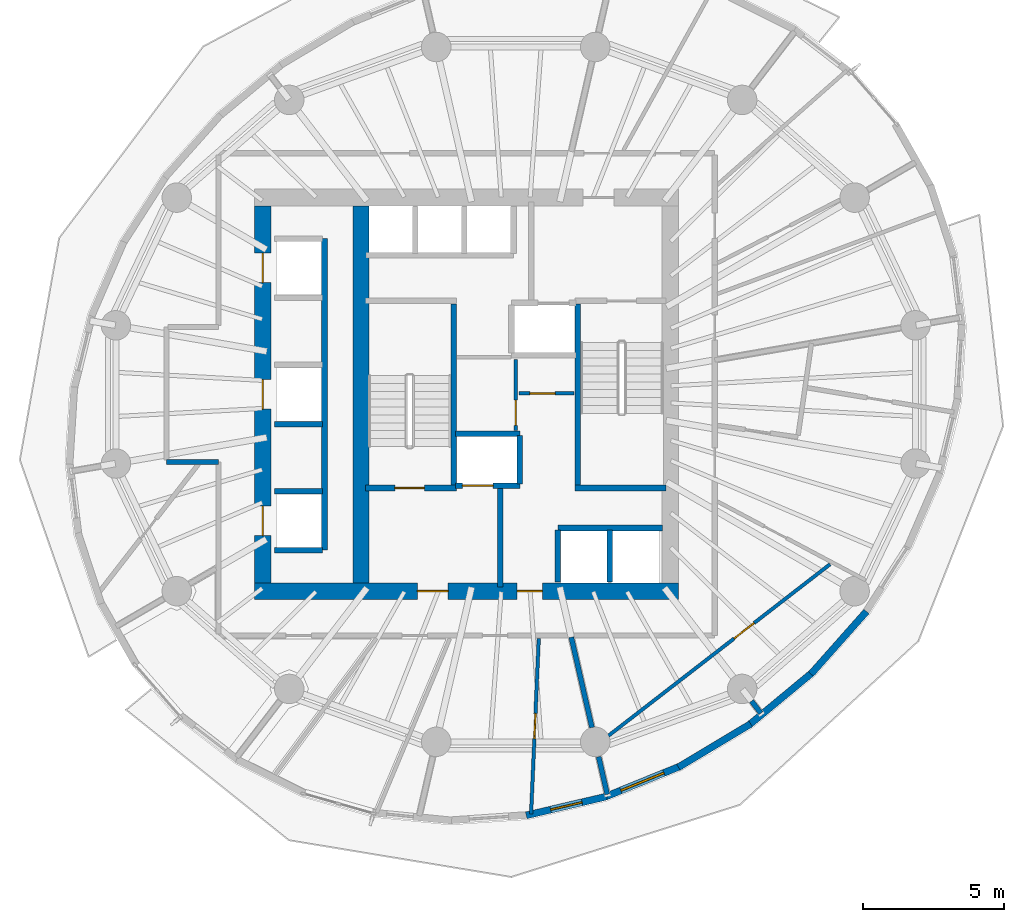
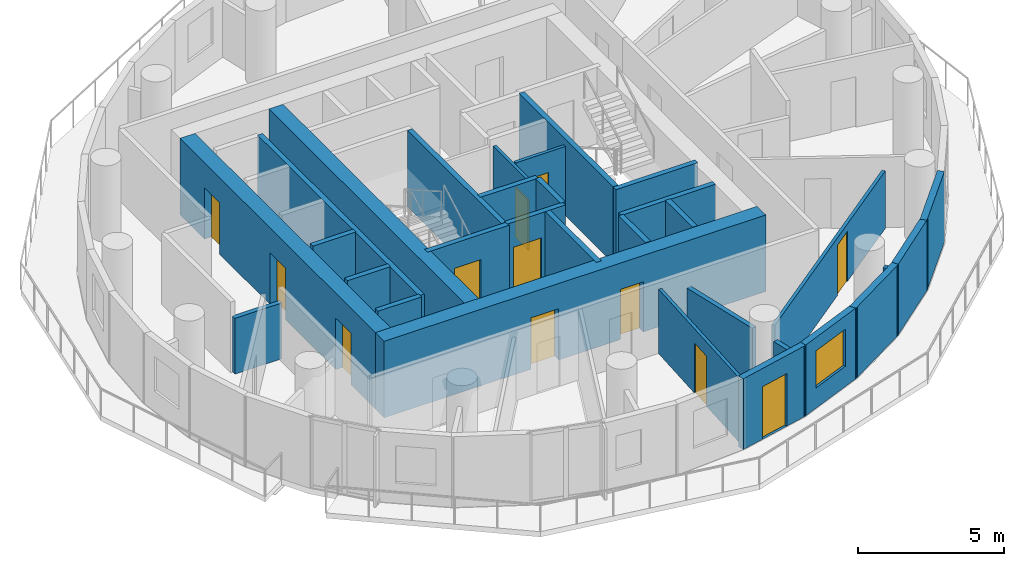
# One storey, part 5 of 12: 31 walls, 12 doors, 1 window, 13 openings.
"""IFC4 building model written with IfcOpenShell, lengths in metres."""

from ifc_helpers import new_model, si_unit, direction, frame, frame_2d, origin, place, context, subcontext, project, spatial, rectangle, extrude, material, layer, layer_set, type_object, element, fill, save


model = new_model("IFC4")

# Units and contexts
model_context = context("Model", 3, precision=1e-05, world=origin(), true_north=direction((0.0, 1.0)))
body_context = subcontext(model_context, "Body", "Model", "MODEL_VIEW")
ifc_project = project(units=[si_unit("LENGTHUNIT", "METRE"), si_unit("AREAUNIT", "SQUARE_METRE"), si_unit("VOLUMEUNIT", "CUBIC_METRE"), si_unit("PLANEANGLEUNIT", "RADIAN"), si_unit("MASSUNIT", "GRAM", prefix="KILO")], contexts=[model_context])

# Site, building, storey
site_placement = place(None, origin())
site = spatial("IfcSite", under=ifc_project, at=site_placement, CompositionType="ELEMENT")
building_placement = place(site_placement, origin())
building = spatial("IfcBuilding", under=site, at=building_placement, Name="Veldorim Arch Residences", CompositionType="ELEMENT")
storey_placement = place(building_placement, frame((0.0, 0.0, 142.56005859375)))
storey = spatial("IfcBuildingStorey", under=building, at=storey_placement, Name="L42", CompositionType="ELEMENT", Elevation=142.56005859375)

# Wall, opening, door
ifc_material_1 = material(Name="Acoustic Gypsum Board", Category="gypsum")
ifc_layer_1 = layer(ifc_material_1, 0.125, Name="Acoustic Stud Room Partition Wall 125")
ifc_layer_set_1 = layer_set([ifc_layer_1], Name="Acoustic Gypsum Board")
wall_type_1 = type_object("IfcWallType", Name="Acoustic Stud Room Partition Wall 125", PredefinedType="PARTITIONING", material=ifc_layer_set_1)
wall_1_placement = place(storey_placement, frame((32.0, 22.719970703125, 0.0), z_axis=(0.0, 0.0, 1.0), x_axis=(0.0, 1.0, 0.0)))
wall_1 = element("IfcWall", 1, at=wall_1_placement, inside=storey, type_object=wall_type_1, Name="L42 interior wall WL-CA-L42-1", PredefinedType="PARTITIONING", context=body_context, shape_type="SweptSolid", body=[
    extrude(rectangle(XDim=2.52001953125, YDim=0.125, at=frame_2d((1.260009765625, 0.0))), origin(), (0.0, 0.0, 1.0), 2.954833984375),
])
opening_1_placement = place(wall_1_placement, frame((0.179931640625, 0.0, 0.0)))
opening_1 = element("IfcOpeningElement", 2, at=opening_1_placement, cuts=wall_1, Name="Opening DR-SVC", PredefinedType="OPENING", context=body_context, shape_type="SweptSolid", body=[
    extrude(rectangle(XDim=0.89990234375, YDim=2.10009765625, at=frame_2d((0.449951171875, 1.050048828125))), frame((0.0, 0.072509765625, 0.0), z_axis=(0.0, -1.0, 0.0), x_axis=(1.0, 0.0, 0.0)), (0.0, 0.0, 1.0), 0.14501953125),
])
ifc_material_2 = material(Name="Fire-Rated Steel", Category="steel")
door_type_1 = type_object("IfcDoorType", Name="Riser, Shelter & Plant Room Rated Steel Door 900x2100", OperationType="SINGLE_SWING_LEFT", PredefinedType="DOOR", material=ifc_material_2)
door_1_placement = place(opening_1_placement, origin())
door_1 = element("IfcDoor", 3, at=door_1_placement, inside=storey, type_object=door_type_1, Name="L42 interior door DR-L42-CA2", OperationType="SINGLE_SWING_RIGHT", OverallHeight=2.10009765625, OverallWidth=0.89990234375, PredefinedType="DOOR", context=body_context, shape_type="SweptSolid", body=[
    extrude(rectangle(XDim=0.89990234375, YDim=2.10009765625, at=frame_2d((0.449951171875, 1.050048828125))), frame((0.0, 0.02490234375, 0.0), z_axis=(0.0, -1.0, 0.0), x_axis=(1.0, 0.0, 0.0)), (0.0, 0.0, 1.0), 0.050048828125),
])
fill(opening_1, door_1)

wall_2_placement = place(storey_placement, frame((32.110107421875, 24.0400390625, 0.0), z_axis=(0.0, 0.0, 1.0), x_axis=(1.0, 0.0, 0.0)))
wall_2 = element("IfcWall", 4, at=wall_2_placement, inside=storey, type_object=wall_type_1, Name="L42 interior wall WL-CA-L42-3", PredefinedType="PARTITIONING", context=body_context, shape_type="SweptSolid", body=[
    extrude(rectangle(XDim=1.969970703125, YDim=0.125, at=frame_2d((0.98486328125, 0.0))), origin(), (0.0, 0.0, 1.0), 2.954833984375),
])
opening_2_placement = place(wall_2_placement, frame((0.389892578125, 0.0, 0.0)))
opening_2 = element("IfcOpeningElement", 5, at=opening_2_placement, cuts=wall_2, Name="Opening DR-INT", PredefinedType="OPENING", context=body_context, shape_type="SweptSolid", body=[
    extrude(rectangle(XDim=0.89990234375, YDim=2.10009765625, at=frame_2d((0.449951171875, 1.050048828125))), frame((0.0, 0.072509765625, 0.0), z_axis=(0.0, -1.0, 0.0), x_axis=(1.0, 0.0, 0.0)), (0.0, 0.0, 1.0), 0.14501953125),
])
ifc_material_3 = material(Name="Engineered Timber", Category="wood")
door_type_2 = type_object("IfcDoorType", Name="Apartment Internal Room Timber Door 900x2100", OperationType="SINGLE_SWING_LEFT", PredefinedType="DOOR", material=ifc_material_3)
door_2_placement = place(opening_2_placement, origin())
door_2 = element("IfcDoor", 6, at=door_2_placement, inside=storey, type_object=door_type_2, Name="L42 interior door DR-L42-CA1", OperationType="SINGLE_SWING_LEFT", OverallHeight=2.10009765625, OverallWidth=0.89990234375, PredefinedType="DOOR", context=body_context, shape_type="SweptSolid", body=[
    extrude(rectangle(XDim=0.89990234375, YDim=2.10009765625, at=frame_2d((0.449951171875, 1.050048828125))), frame((0.0, 0.02490234375, 0.0), z_axis=(0.0, -1.0, 0.0), x_axis=(1.0, 0.0, 0.0)), (0.0, 0.0, 1.0), 0.050048828125),
])
fill(opening_2, door_2)

wall_3_placement = place(storey_placement, frame((32.82080078125, 15.320068359375, 0.0), z_axis=(0.0, 0.0, 1.0), x_axis=(-0.043813760095, -0.999039716141, 0.0)))
wall_3 = element("IfcWall", 7, at=wall_3_placement, inside=storey, type_object=wall_type_1, Name="L42 interior wall WL-RES-L42-011", PredefinedType="PARTITIONING", context=body_context, shape_type="SweptSolid", body=[
    extrude(rectangle(XDim=6.24658203125, YDim=0.125, at=frame_2d((3.123291015625, 0.0))), origin(), (0.0, 0.0, 1.0), 2.69189453125),
])
opening_3_placement = place(wall_3_placement, frame((2.67333984375, 0.0, 0.0)))
opening_3 = element("IfcOpeningElement", 8, at=opening_3_placement, cuts=wall_3, Name="Opening DR-INT", PredefinedType="OPENING", context=body_context, shape_type="SweptSolid", body=[
    extrude(rectangle(XDim=0.89990234375, YDim=2.10009765625, at=frame_2d((0.449951171875, 1.050048828125))), frame((0.0, 0.072509765625, 0.0), z_axis=(0.0, -1.0, 0.0), x_axis=(1.0, 0.0, 0.0)), (0.0, 0.0, 1.0), 0.14501953125),
])
door_3_placement = place(opening_3_placement, origin())
door_3 = element("IfcDoor", 9, at=door_3_placement, inside=storey, type_object=door_type_2, Name="L42 interior door DR-RES-L42-004", OperationType="SINGLE_SWING_RIGHT", OverallHeight=2.10009765625, OverallWidth=0.89990234375, PredefinedType="DOOR", context=body_context, shape_type="SweptSolid", body=[
    extrude(rectangle(XDim=0.89990234375, YDim=2.10009765625, at=frame_2d((0.449951171875, 1.050048828125))), frame((0.0, 0.02490234375, 0.0), z_axis=(0.0, -1.0, 0.0), x_axis=(1.0, 0.0, 0.0)), (0.0, 0.0, 1.0), 0.050048828125),
])
fill(opening_3, door_3)

wall_4_placement = place(storey_placement, frame((43.18408203125, 17.959716796875, 0.0), z_axis=(0.0, 0.0, 1.0), x_axis=(-0.790862802872, -0.611993486104, 0.0)))
wall_4 = element("IfcWall", 10, at=wall_4_placement, inside=storey, type_object=wall_type_1, Name="L42 interior wall WL-RES-L42-020", PredefinedType="PARTITIONING", context=body_context, shape_type="SweptSolid", body=[
    extrude(rectangle(XDim=9.974853515625, YDim=0.125, at=frame_2d((4.9873046875, 0.0))), origin(), (0.0, 0.0, 1.0), 2.411376953125),
])
opening_4_placement = place(wall_4_placement, frame((3.417236328125, 0.0, 0.0)))
opening_4 = element("IfcOpeningElement", 11, at=opening_4_placement, cuts=wall_4, Name="Opening DR-INT", PredefinedType="OPENING", context=body_context, shape_type="SweptSolid", body=[
    extrude(rectangle(XDim=0.89990234375, YDim=2.10009765625, at=frame_2d((0.449951171875, 1.050048828125))), frame((0.0, 0.072509765625, 0.0), z_axis=(0.0, -1.0, 0.0), x_axis=(1.0, 0.0, 0.0)), (0.0, 0.0, 1.0), 0.14501953125),
])
door_4_placement = place(opening_4_placement, origin())
door_4 = element("IfcDoor", 12, at=door_4_placement, inside=storey, type_object=door_type_2, Name="L42 interior door DR-RES-L42-008", OperationType="SINGLE_SWING_RIGHT", OverallHeight=2.10009765625, OverallWidth=0.89990234375, PredefinedType="DOOR", context=body_context, shape_type="SweptSolid", body=[
    extrude(rectangle(XDim=0.89990234375, YDim=2.10009765625, at=frame_2d((0.449951171875, 1.050048828125))), frame((0.0, 0.02490234375, 0.0), z_axis=(0.0, -1.0, 0.0), x_axis=(1.0, 0.0, 0.0)), (0.0, 0.0, 1.0), 0.050048828125),
])
fill(opening_4, door_4)

# Walls
ifc_material_4 = material(Name="Lightweight Masonry Block & Gypsum", Category="masonry")
ifc_layer_2 = layer(ifc_material_4, 0.179931640625, Name="Compartment & Corridor Fire-Rated Party Wall 180")
ifc_layer_set_2 = layer_set([ifc_layer_2], Name="Lightweight Masonry Block & Gypsum")
wall_type_2 = type_object("IfcWallType", Name="Compartment & Corridor Fire-Rated Party Wall 180", PredefinedType="PARTITIONING", material=ifc_layer_set_2)
wall_5_placement = place(storey_placement, frame((34.950439453125, 11.11083984375, 0.0), z_axis=(0.0, 0.0, 1.0), x_axis=(0.223027623572, -0.974812125039, 0.0)))
element("IfcWall", 13, at=wall_5_placement, inside=storey, type_object=wall_type_2, Name="L42 interior wall WL-PIER-L42-13", PredefinedType="PARTITIONING", context=body_context, shape_type="SweptSolid", body=[
    extrude(rectangle(XDim=1.372802734375, YDim=0.179931640625, at=frame_2d((0.6865234375, 0.0))), origin(), (0.0, 0.0, 1.0), 2.335693359375),
])
wall_6_placement = place(storey_placement, frame((40.387939453125, 13.091552734375, 0.0), z_axis=(0.0, 0.0, 1.0), x_axis=(0.6096676216, -0.792657171275, 0.0)))
element("IfcWall", 14, at=wall_6_placement, inside=storey, type_object=wall_type_2, Name="L42 interior wall WL-PIER-L42-14", PredefinedType="PARTITIONING", context=body_context, shape_type="SweptSolid", body=[
    extrude(rectangle(XDim=0.547119140625, YDim=0.179931640625, at=frame_2d((0.2734375, 0.0))), origin(), (0.0, 0.0, 1.0), 2.335693359375),
])
wall_7_placement = place(storey_placement, frame((21.419921875, 21.60009765625, 0.0), z_axis=(0.0, 0.0, 1.0), x_axis=(-1.0, 0.0, 0.0)))
element("IfcWall", 15, at=wall_7_placement, inside=storey, type_object=wall_type_2, Name="L42 interior wall WL-RES-L42-006", PredefinedType="PARTITIONING", context=body_context, shape_type="SweptSolid", body=[
    extrude(rectangle(XDim=1.849853515625, YDim=0.179931640625, at=frame_2d((0.9248046875, 0.0))), origin(), (0.0, 0.0, 1.0), 2.335693359375),
])
wall_8_placement = place(storey_placement, frame((33.977294921875, 15.361572265625, 0.0), z_axis=(0.0, 0.0, 1.0), x_axis=(0.22319287001, -0.974774303506, 0.0)))
element("IfcWall", 16, at=wall_8_placement, inside=storey, type_object=wall_type_2, Name="L42 interior wall WL-RES-L42-014", PredefinedType="PARTITIONING", context=body_context, shape_type="SweptSolid", body=[
    extrude(rectangle(XDim=3.2958984375, YDim=0.179931640625, at=frame_2d((1.64794921875, 0.0))), origin(), (0.0, 0.0, 1.0), 2.335693359375),
])
ifc_material_5 = material(Name="Concrete C50/60", Category="concrete")
ifc_layer_3 = layer(ifc_material_5, 0.199951171875, Name="Core Stair & Lift Shaft Enclosure Wall 200")
ifc_layer_set_3 = layer_set([ifc_layer_3], Name="Concrete C50/60")
wall_type_3 = type_object("IfcWallType", Name="Core Stair & Lift Shaft Enclosure Wall 200", PredefinedType="SHEAR", material=ifc_layer_set_3)
wall_9_placement = place(storey_placement, frame((29.7900390625, 20.780029296875, 0.0), z_axis=(0.0, 0.0, 1.0), x_axis=(0.0, 1.0, 0.0)))
element("IfcWall", 17, at=wall_9_placement, inside=storey, type_object=wall_type_3, Name="L42 shaft wall WL-SHF-L42-ST1-E", PredefinedType="SHEAR", context=body_context, shape_type="SweptSolid", body=[
    extrude(rectangle(XDim=6.43994140625, YDim=0.199951171875, at=frame_2d((3.219970703125, 0.0))), origin(), (0.0, 0.0, 1.0), 3.199951171875),
])

# Wall, opening, door
wall_10_placement = place(storey_placement, frame((26.64990234375, 20.669921875, 0.0), z_axis=(0.0, 0.0, 1.0), x_axis=(1.0, 0.0, 0.0)))
wall_10 = element("IfcWall", 18, at=wall_10_placement, inside=storey, type_object=wall_type_3, Name="L42 shaft wall WL-SHF-L42-ST1-S", PredefinedType="SHEAR", context=body_context, shape_type="SweptSolid", body=[
    extrude(rectangle(XDim=3.239990234375, YDim=0.199951171875, at=frame_2d((1.6201171875, 0.0))), origin(), (0.0, 0.0, 1.0), 3.199951171875),
])
opening_5_placement = place(wall_10_placement, frame((1.054931640625, 0.0, 0.0)))
opening_5 = element("IfcOpeningElement", 19, at=opening_5_placement, cuts=wall_10, Name="Opening DR-ST", PredefinedType="OPENING", context=body_context, shape_type="SweptSolid", body=[
    extrude(rectangle(XDim=1.050048828125, YDim=2.14990234375, at=frame_2d((0.52490234375, 1.074951171875))), frame((0.0, 0.10986328125, 0.0), z_axis=(0.0, -1.0, 0.0), x_axis=(1.0, 0.0, 0.0)), (0.0, 0.0, 1.0), 0.219970703125),
])
ifc_material_6 = material(Name="Fire-Rated Steel", Category="steel")
door_type_3 = type_object("IfcDoorType", Name="Exit Staircase Self-Closing Fire Door 1050x2150", OperationType="SINGLE_SWING_LEFT", PredefinedType="DOOR", material=ifc_material_6)
door_5_placement = place(opening_5_placement, origin())
door_5 = element("IfcDoor", 20, at=door_5_placement, inside=storey, type_object=door_type_3, Name="L42 interior door DR-L42-ST1", OperationType="SINGLE_SWING_LEFT", OverallHeight=2.14990234375, OverallWidth=1.050048828125, PredefinedType="DOOR", context=body_context, shape_type="SweptSolid", body=[
    extrude(rectangle(XDim=1.050048828125, YDim=2.14990234375, at=frame_2d((0.52490234375, 1.074951171875))), frame((0.0, 0.02490234375, 0.0), z_axis=(0.0, -1.0, 0.0), x_axis=(1.0, 0.0, 0.0)), (0.0, 0.0, 1.0), 0.050048828125),
])
fill(opening_5, door_5)

# Walls
wall_11_placement = place(storey_placement, frame((34.2099609375, 20.780029296875, 0.0), z_axis=(0.0, 0.0, 1.0), x_axis=(0.0, 1.0, 0.0)))
element("IfcWall", 21, at=wall_11_placement, inside=storey, type_object=wall_type_3, Name="L42 shaft wall WL-SHF-L42-ST2-W", PredefinedType="SHEAR", context=body_context, shape_type="SweptSolid", body=[
    extrude(rectangle(XDim=6.43994140625, YDim=0.199951171875, at=frame_2d((3.219970703125, 0.0))), origin(), (0.0, 0.0, 1.0), 3.199951171875),
])
wall_12_placement = place(storey_placement, frame((34.110107421875, 20.669921875, 0.0), z_axis=(0.0, 0.0, 1.0), x_axis=(1.0, 0.0, 0.0)))
element("IfcWall", 22, at=wall_12_placement, inside=storey, type_object=wall_type_3, Name="L42 shaft wall WL-SHF-L42-ST2-S", PredefinedType="SHEAR", context=body_context, shape_type="SweptSolid", body=[
    extrude(rectangle(XDim=3.239990234375, YDim=0.199951171875, at=frame_2d((1.6201171875, 0.0))), origin(), (0.0, 0.0, 1.0), 3.199951171875),
])
wall_13_placement = place(storey_placement, frame((31.449951171875, 17.14990234375, 0.0), z_axis=(0.0, 0.0, 1.0), x_axis=(0.0, 1.0, 0.0)))
element("IfcWall", 23, at=wall_13_placement, inside=storey, type_object=wall_type_3, Name="L42 shaft wall WL-FFL1-L42-E", PredefinedType="SHEAR", context=body_context, shape_type="SweptSolid", body=[
    extrude(rectangle(XDim=3.5, YDim=0.199951171875, at=frame_2d((1.75, 0.0))), origin(), (0.0, 0.0, 1.0), 3.199951171875),
])

# Wall, opening, door
wall_14_placement = place(storey_placement, frame((29.85009765625, 20.75, 0.0), z_axis=(0.0, 0.0, 1.0), x_axis=(1.0, 0.0, 0.0)))
wall_14 = element("IfcWall", 24, at=wall_14_placement, inside=storey, type_object=wall_type_3, Name="L42 shaft wall WL-FL01-L42-S", PredefinedType="SHEAR", context=body_context, shape_type="SweptSolid", body=[
    extrude(rectangle(XDim=2.2998046875, YDim=0.199951171875, at=frame_2d((1.14990234375, 0.0))), origin(), (0.0, 0.0, 1.0), 3.199951171875),
])
opening_6_placement = place(wall_14_placement, frame((0.25, 0.0, 0.0)))
opening_6 = element("IfcOpeningElement", 25, at=opening_6_placement, cuts=wall_14, Name="Opening LD-FF", PredefinedType="OPENING", context=body_context, shape_type="SweptSolid", body=[
    extrude(rectangle(XDim=1.10009765625, YDim=2.14990234375, at=frame_2d((0.550048828125, 1.074951171875))), frame((0.0, 0.10986328125, 0.0), z_axis=(0.0, -1.0, 0.0), x_axis=(1.0, 0.0, 0.0)), (0.0, 0.0, 1.0), 0.219970703125),
])
ifc_material_7 = material(Name="Stainless Steel", Category="steel")
door_type_4 = type_object("IfcDoorType", Name="Firefighting Lift Bi-Parting Sliding Landing Door 1100x2150", OperationType="DOUBLE_DOOR_SLIDING", PredefinedType="DOOR", material=ifc_material_7)
door_6_placement = place(opening_6_placement, origin())
door_6 = element("IfcDoor", 26, at=door_6_placement, inside=storey, type_object=door_type_4, Name="L42 lift landing door LD-L42-FL01", OperationType="DOUBLE_DOOR_SLIDING", OverallHeight=2.14990234375, OverallWidth=1.10009765625, PredefinedType="DOOR", context=body_context, shape_type="SweptSolid", body=[
    extrude(rectangle(XDim=1.10009765625, YDim=2.14990234375, at=frame_2d((0.550048828125, 1.074951171875))), frame((0.0, 0.02490234375, 0.0), z_axis=(0.0, -1.0, 0.0), x_axis=(1.0, 0.0, 0.0)), (0.0, 0.0, 1.0), 0.050048828125),
])
fill(opening_6, door_6)

# Walls
wall_15_placement = place(storey_placement, frame((29.85009765625, 22.60009765625, 0.0), z_axis=(0.0, 0.0, 1.0), x_axis=(1.0, 0.0, 0.0)))
element("IfcWall", 27, at=wall_15_placement, inside=storey, type_object=wall_type_3, Name="L42 shaft wall WL-FL01-L42-N", PredefinedType="SHEAR", context=body_context, shape_type="SweptSolid", body=[
    extrude(rectangle(XDim=2.2998046875, YDim=0.199951171875, at=frame_2d((1.14990234375, 0.0))), origin(), (0.0, 0.0, 1.0), 3.199951171875),
])
wall_16_placement = place(storey_placement, frame((32.14990234375, 20.820068359375, 0.0), z_axis=(0.0, 0.0, 1.0), x_axis=(0.0, 1.0, 0.0)))
element("IfcWall", 28, at=wall_16_placement, inside=storey, type_object=wall_type_3, Name="L42 shaft wall WL-FL01-L42-E", PredefinedType="SHEAR", context=body_context, shape_type="SweptSolid", body=[
    extrude(rectangle(XDim=1.7099609375, YDim=0.199951171875, at=frame_2d((0.85498046875, 0.0))), origin(), (0.0, 0.0, 1.0), 3.199951171875),
])
wall_17_placement = place(storey_placement, frame((25.199951171875, 18.4599609375, 0.0), z_axis=(0.0, 0.0, 1.0), x_axis=(0.0, 1.0, 0.0)))
element("IfcWall", 29, at=wall_17_placement, inside=storey, type_object=wall_type_3, Name="L42 shaft wall WL-B2-L42-E", PredefinedType="SHEAR", context=body_context, shape_type="SweptSolid", body=[
    extrude(rectangle(XDim=11.080078125, YDim=0.199951171875, at=frame_2d((5.5400390625, 0.0))), origin(), (0.0, 0.0, 1.0), 3.199951171875),
])
for number, where, z_axis, x_axis, name in (
    (30, (23.419921875, 18.4599609375, 0.0), (0.0, 0.0, 1.0), (1.0, 0.0, 0.0), "L42 shaft wall WL-B2-L42-S"),
    (31, (23.419921875, 20.56005859375, 0.0), (0.0, 0.0, 1.0), (1.0, 0.0, 0.0), "L42 shaft wall WL-B2-L42-D1A"),
    (32, (23.419921875, 22.93994140625, 0.0), (0.0, 0.0, 1.0), (1.0, 0.0, 0.0), "L42 shaft wall WL-B2-L42-D1B"),
):
    element("IfcWall", number, at=place(storey_placement, frame(where, z_axis=z_axis, x_axis=x_axis)), inside=storey, type_object=wall_type_3, Name=name, PredefinedType="SHEAR", context=body_context, shape_type="SweptSolid", body=[
        extrude(rectangle(XDim=1.7099609375, YDim=0.199951171875, at=frame_2d((0.85498046875, 0.0))), origin(), (0.0, 0.0, 1.0), 3.199951171875),
    ])
wall_18_placement = place(storey_placement, frame((33.5, 19.25, 0.0), z_axis=(0.0, 0.0, 1.0), x_axis=(1.0, 0.0, 0.0)))
element("IfcWall", 33, at=wall_18_placement, inside=storey, type_object=wall_type_3, Name="L42 shaft wall WL-OL-L42-N", PredefinedType="SHEAR", context=body_context, shape_type="SweptSolid", body=[
    extrude(rectangle(XDim=3.719970703125, YDim=0.199951171875, at=frame_2d((1.85986328125, 0.0))), origin(), (0.0, 0.0, 1.0), 3.199951171875),
])
for number, where, z_axis, x_axis, name in (
    (34, (33.5, 17.320068359375, 0.0), (0.0, 0.0, 1.0), (0.0, 1.0, 0.0), "L42 shaft wall WL-OL-L42-W"),
    (35, (35.35009765625, 17.320068359375, 0.0), (0.0, 0.0, 1.0), (0.0, 1.0, 0.0), "L42 shaft wall WL-OL-L42-D1"),
):
    element("IfcWall", number, at=place(storey_placement, frame(where, z_axis=z_axis, x_axis=x_axis)), inside=storey, type_object=wall_type_3, Name=name, PredefinedType="SHEAR", context=body_context, shape_type="SweptSolid", body=[
        extrude(rectangle(XDim=1.85986328125, YDim=0.199951171875, at=frame_2d((0.929931640625, 0.0))), origin(), (0.0, 0.0, 1.0), 3.199951171875),
    ])

# Wall, openings, doors
ifc_material_8 = material(Name="Concrete C50/60", Category="concrete")
ifc_layer_4 = layer(ifc_material_8, 0.60009765625, Name="Mid-Upper Central Core Shear Wall 600")
ifc_layer_set_4 = layer_set([ifc_layer_4], Name="Concrete C50/60")
wall_type_4 = type_object("IfcWallType", Name="Mid-Upper Central Core Shear Wall 600", PredefinedType="SHEAR", material=ifc_layer_set_4)
wall_19_placement = place(storey_placement, frame((22.699951171875, 17.0, 0.0), z_axis=(0.0, 0.0, 1.0), x_axis=(1.0, 0.0, 0.0)))
wall_19 = element("IfcWall", 36, at=wall_19_placement, inside=storey, type_object=wall_type_4, Name="L42 central core south shear wall", PredefinedType="SHEAR", context=body_context, shape_type="SweptSolid", body=[
    extrude(rectangle(XDim=15.10009765625, YDim=0.60009765625, at=frame_2d((7.550048828125, 0.0))), origin(), (0.0, 0.0, 1.0), 3.199951171875),
])
opening_7_placement = place(wall_19_placement, frame((5.800048828125, 0.0, 0.0)))
opening_7 = element("IfcOpeningElement", 37, at=opening_7_placement, cuts=wall_19, Name="Opening DR-FFL", PredefinedType="OPENING", context=body_context, shape_type="SweptSolid", body=[
    extrude(rectangle(XDim=1.10009765625, YDim=2.14990234375, at=frame_2d((0.550048828125, 1.074951171875))), frame((0.0, 0.31005859375, 0.0), z_axis=(0.0, -1.0, 0.0), x_axis=(1.0, 0.0, 0.0)), (0.0, 0.0, 1.0), 0.6201171875),
])
opening_8_placement = place(wall_19_placement, frame((9.35009765625, 0.0, 0.0)))
opening_8 = element("IfcOpeningElement", 38, at=opening_8_placement, cuts=wall_19, Name="Opening DR-SVC", PredefinedType="OPENING", context=body_context, shape_type="SweptSolid", body=[
    extrude(rectangle(XDim=0.89990234375, YDim=2.10009765625, at=frame_2d((0.449951171875, 1.050048828125))), frame((0.0, 0.31005859375, 0.0), z_axis=(0.0, -1.0, 0.0), x_axis=(1.0, 0.0, 0.0)), (0.0, 0.0, 1.0), 0.6201171875),
])
ifc_material_9 = material(Name="Fire-Rated Steel & Vision Glass", Category="steel")
door_type_5 = type_object("IfcDoorType", Name="Firefighting Lobby Smoke-Stop Fire Door 1100x2150", OperationType="SINGLE_SWING_LEFT", PredefinedType="DOOR", material=ifc_material_9)
door_7_placement = place(opening_7_placement, origin())
door_7 = element("IfcDoor", 39, at=door_7_placement, inside=storey, type_object=door_type_5, Name="L42 interior door DR-L42-FFL1", OperationType="SINGLE_SWING_RIGHT", OverallHeight=2.14990234375, OverallWidth=1.10009765625, PredefinedType="DOOR", context=body_context, shape_type="SweptSolid", body=[
    extrude(rectangle(XDim=1.10009765625, YDim=2.14990234375, at=frame_2d((0.550048828125, 1.074951171875))), frame((0.0, 0.02490234375, 0.0), z_axis=(0.0, -1.0, 0.0), x_axis=(1.0, 0.0, 0.0)), (0.0, 0.0, 1.0), 0.050048828125),
])
fill(opening_7, door_7)
door_8_placement = place(opening_8_placement, origin())
door_8 = element("IfcDoor", 40, at=door_8_placement, inside=storey, type_object=door_type_1, Name="L42 interior door DR-L42-COR-ANC", OperationType="SINGLE_SWING_LEFT", OverallHeight=2.10009765625, OverallWidth=0.89990234375, PredefinedType="DOOR", context=body_context, shape_type="SweptSolid", body=[
    extrude(rectangle(XDim=0.89990234375, YDim=2.10009765625, at=frame_2d((0.449951171875, 1.050048828125))), frame((0.0, 0.02490234375, 0.0), z_axis=(0.0, -1.0, 0.0), x_axis=(1.0, 0.0, 0.0)), (0.0, 0.0, 1.0), 0.050048828125),
])
fill(opening_8, door_8)

wall_20_placement = place(storey_placement, frame((23.0, 17.300048828125, 0.0), z_axis=(0.0, 0.0, 1.0), x_axis=(0.0, 1.0, 0.0)))
wall_20 = element("IfcWall", 41, at=wall_20_placement, inside=storey, type_object=wall_type_4, Name="L42 central core west shear wall", PredefinedType="SHEAR", context=body_context, shape_type="SweptSolid", body=[
    extrude(rectangle(XDim=13.39990234375, YDim=0.60009765625, at=frame_2d((6.699951171875, 0.0))), origin(), (0.0, 0.0, 1.0), 3.199951171875),
])
opening_9_placement = place(wall_20_placement, frame((1.675048828125, 0.0, 0.0)))
opening_9 = element("IfcOpeningElement", 42, at=opening_9_placement, cuts=wall_20, Name="Opening LD-PS", PredefinedType="OPENING", context=body_context, shape_type="SweptSolid", body=[
    extrude(rectangle(XDim=1.050048828125, YDim=2.14990234375, at=frame_2d((0.52490234375, 1.074951171875))), frame((0.0, 0.31005859375, 0.0), z_axis=(0.0, -1.0, 0.0), x_axis=(1.0, 0.0, 0.0)), (0.0, 0.0, 1.0), 0.6201171875),
])
opening_10_placement = place(wall_20_placement, frame((6.175048828125, 0.0, 0.0)))
opening_10 = element("IfcOpeningElement", 43, at=opening_10_placement, cuts=wall_20, Name="Opening LD-PS", PredefinedType="OPENING", context=body_context, shape_type="SweptSolid", body=[
    extrude(rectangle(XDim=1.050048828125, YDim=2.14990234375, at=frame_2d((0.52490234375, 1.074951171875))), frame((0.0, 0.31005859375, 0.0), z_axis=(0.0, -1.0, 0.0), x_axis=(1.0, 0.0, 0.0)), (0.0, 0.0, 1.0), 0.6201171875),
])
opening_11_placement = place(wall_20_placement, frame((10.675048828125, 0.0, 0.0)))
opening_11 = element("IfcOpeningElement", 44, at=opening_11_placement, cuts=wall_20, Name="Opening LD-PS", PredefinedType="OPENING", context=body_context, shape_type="SweptSolid", body=[
    extrude(rectangle(XDim=1.050048828125, YDim=2.14990234375, at=frame_2d((0.52490234375, 1.074951171875))), frame((0.0, 0.31005859375, 0.0), z_axis=(0.0, -1.0, 0.0), x_axis=(1.0, 0.0, 0.0)), (0.0, 0.0, 1.0), 0.6201171875),
])
ifc_material_10 = material(Name="Stainless Steel", Category="steel")
door_type_6 = type_object("IfcDoorType", Name="Passenger Lift Bi-Parting Sliding Landing Door 1050x2150", OperationType="DOUBLE_DOOR_SLIDING", PredefinedType="DOOR", material=ifc_material_10)
door_9_placement = place(opening_9_placement, origin())
door_9 = element("IfcDoor", 45, at=door_9_placement, inside=storey, type_object=door_type_6, Name="L42 lift landing door LD-L42-PL-05", OperationType="DOUBLE_DOOR_SLIDING", OverallHeight=2.14990234375, OverallWidth=1.050048828125, PredefinedType="DOOR", context=body_context, shape_type="SweptSolid", body=[
    extrude(rectangle(XDim=1.050048828125, YDim=2.14990234375, at=frame_2d((0.52490234375, 1.074951171875))), frame((0.0, 0.02490234375, 0.0), z_axis=(0.0, -1.0, 0.0), x_axis=(1.0, 0.0, 0.0)), (0.0, 0.0, 1.0), 0.050048828125),
])
fill(opening_9, door_9)
door_10_placement = place(opening_10_placement, origin())
door_10 = element("IfcDoor", 46, at=door_10_placement, inside=storey, type_object=door_type_6, Name="L42 lift landing door LD-L42-PL-06", OperationType="DOUBLE_DOOR_SLIDING", OverallHeight=2.14990234375, OverallWidth=1.050048828125, PredefinedType="DOOR", context=body_context, shape_type="SweptSolid", body=[
    extrude(rectangle(XDim=1.050048828125, YDim=2.14990234375, at=frame_2d((0.52490234375, 1.074951171875))), frame((0.0, 0.02490234375, 0.0), z_axis=(0.0, -1.0, 0.0), x_axis=(1.0, 0.0, 0.0)), (0.0, 0.0, 1.0), 0.050048828125),
])
fill(opening_10, door_10)
door_11_placement = place(opening_11_placement, origin())
door_11 = element("IfcDoor", 47, at=door_11_placement, inside=storey, type_object=door_type_6, Name="L42 lift landing door LD-L42-PL-07", OperationType="DOUBLE_DOOR_SLIDING", OverallHeight=2.14990234375, OverallWidth=1.050048828125, PredefinedType="DOOR", context=body_context, shape_type="SweptSolid", body=[
    extrude(rectangle(XDim=1.050048828125, YDim=2.14990234375, at=frame_2d((0.52490234375, 1.074951171875))), frame((0.0, 0.02490234375, 0.0), z_axis=(0.0, -1.0, 0.0), x_axis=(1.0, 0.0, 0.0)), (0.0, 0.0, 1.0), 0.050048828125),
])
fill(opening_11, door_11)

# Wall, opening, door
ifc_material_11 = material(Name="Precast concrete C40/50", Category="concrete")
ifc_layer_5 = layer(ifc_material_11, 0.25, Name="Tower Terracotta Spandrel & Pier Wall 250")
ifc_layer_set_5 = layer_set([ifc_layer_5], Name="Precast concrete C40/50")
wall_type_5 = type_object("IfcWallType", Name="Tower Terracotta Spandrel & Pier Wall 250", PredefinedType="SOLIDWALL", material=ifc_layer_set_5)
wall_21_placement = place(storey_placement, frame((35.233154296875, 9.694580078125, 0.0), z_axis=(0.0, 0.0, 1.0), x_axis=(-0.973538048261, -0.228524984602, 0.0)))
wall_21 = element("IfcWall", 48, at=wall_21_placement, inside=storey, type_object=wall_type_5, Name="L42 terracotta facade wall 25", PredefinedType="SOLIDWALL", context=body_context, shape_type="SweptSolid", body=[
    extrude(rectangle(XDim=2.936767578125, YDim=0.25, at=frame_2d((1.46826171875, 0.0))), origin(), (0.0, 0.0, 1.0), 2.9599609375),
])
opening_12_placement = place(wall_21_placement, frame((0.89306640625, 0.0, 0.0)))
opening_12 = element("IfcOpeningElement", 49, at=opening_12_placement, cuts=wall_21, Name="Opening BL-DR", PredefinedType="OPENING", context=body_context, shape_type="SweptSolid", body=[
    extrude(rectangle(XDim=1.14990234375, YDim=2.199951171875, at=frame_2d((0.574951171875, 1.10009765625))), frame((0.0, 0.135009765625, 0.0), z_axis=(0.0, -1.0, 0.0), x_axis=(1.0, 0.0, 0.0)), (0.0, 0.0, 1.0), 0.27001953125),
])
ifc_material_12 = material(Name="Aluminium & Low-E Glass", Category="aluminium")
door_type_7 = type_object("IfcDoorType", Name="Glazed Planted Balcony Door 1150x2200", OperationType="SINGLE_SWING_LEFT", PredefinedType="DOOR", material=ifc_material_12)
door_12_placement = place(opening_12_placement, origin())
door_12 = element("IfcDoor", 50, at=door_12_placement, inside=storey, type_object=door_type_7, Name="L42 glazed outdoor terrace door BALC-2", OperationType="SINGLE_SWING_LEFT", OverallHeight=2.199951171875, OverallWidth=1.14990234375, PredefinedType="DOOR", context=body_context, shape_type="SweptSolid", body=[
    extrude(rectangle(XDim=1.14990234375, YDim=2.199951171875, at=frame_2d((0.574951171875, 1.10009765625))), frame((0.0, 0.02490234375, 0.0), z_axis=(0.0, -1.0, 0.0), x_axis=(1.0, 0.0, 0.0)), (0.0, 0.0, 1.0), 0.050048828125),
])
fill(opening_12, door_12)

# Wall, opening, window
wall_22_placement = place(storey_placement, frame((37.885986328125, 10.78466796875, 0.0), z_axis=(0.0, 0.0, 1.0), x_axis=(-0.926076439021, -0.377335963154, 0.0)))
wall_22 = element("IfcWall", 51, at=wall_22_placement, inside=storey, type_object=wall_type_5, Name="L42 terracotta facade wall 26", PredefinedType="SOLIDWALL", context=body_context, shape_type="SweptSolid", body=[
    extrude(rectangle(XDim=2.976806640625, YDim=0.25, at=frame_2d((1.48828125, 0.0))), origin(), (0.0, 0.0, 1.0), 2.9599609375),
])
opening_13_placement = place(wall_22_placement, frame((0.6640625, 0.0, 0.85009765625)))
opening_13 = element("IfcOpeningElement", 52, at=opening_13_placement, cuts=wall_22, Name="Opening WN-03", PredefinedType="OPENING", context=body_context, shape_type="SweptSolid", body=[
    extrude(rectangle(XDim=1.64990234375, YDim=1.550048828125, at=frame_2d((0.824951171875, 0.77490234375))), frame((0.0, 0.135009765625, 0.0), z_axis=(0.0, -1.0, 0.0), x_axis=(1.0, 0.0, 0.0)), (0.0, 0.0, 1.0), 0.27001953125),
])
ifc_material_13 = material(Name="Laminated Low-E Glass", Category="glass")
window_type = type_object("IfcWindowType", Name="Residential Wide Window 1650x1550", PartitioningType="SINGLE_PANEL", PredefinedType="WINDOW", material=ifc_material_13)
window_placement = place(opening_13_placement, origin())
window = element("IfcWindow", 53, at=window_placement, inside=storey, type_object=window_type, Name="L42 solar-control facade window 26", OverallHeight=1.550048828125, OverallWidth=1.64990234375, PartitioningType="SINGLE_PANEL", PredefinedType="WINDOW", context=body_context, shape_type="SweptSolid", body=[
    extrude(rectangle(XDim=1.64990234375, YDim=1.550048828125, at=frame_2d((0.824951171875, 0.77490234375))), frame((0.0, 0.030029296875, 0.0), z_axis=(0.0, -1.0, 0.0), x_axis=(1.0, 0.0, 0.0)), (0.0, 0.0, 1.0), 0.06005859375),
])
fill(opening_13, window)

# Walls
for number, where, z_axis, x_axis, name in (
    (54, (40.36083984375, 12.277099609375, 0.0), (0.0, 0.0, 1.0), (-0.857816062946, -0.513956809617, 0.0), "L42 terracotta facade wall 27"),
    (55, (42.581298828125, 14.126708984375, 0.0), (0.0, 0.0, 1.0), (-0.77019983048, -0.637802650613, 0.0), "L42 terracotta facade wall 28"),
):
    element("IfcWall", number, at=place(storey_placement, frame(where, z_axis=z_axis, x_axis=x_axis)), inside=storey, type_object=wall_type_5, Name=name, PredefinedType="SOLIDWALL", context=body_context, shape_type="SweptSolid", body=[
        extrude(rectangle(XDim=2.998291015625, YDim=0.25, at=frame_2d((1.4990234375, 0.0))), origin(), (0.0, 0.0, 1.0), 2.9599609375),
    ])
wall_23_placement = place(storey_placement, frame((44.479736328125, 16.277099609375, 0.0), z_axis=(0.0, 0.0, 1.0), x_axis=(-0.664002369324, -0.747730468506, 0.0)))
element("IfcWall", 56, at=wall_23_placement, inside=storey, type_object=wall_type_5, Name="L42 terracotta facade wall 29", PredefinedType="SOLIDWALL", context=body_context, shape_type="SweptSolid", body=[
    extrude(rectangle(XDim=2.97705078125, YDim=0.25, at=frame_2d((1.488525390625, 0.0))), origin(), (0.0, 0.0, 1.0), 2.9599609375),
])
ifc_material_14 = material(Name="Concrete C50/60", Category="concrete")
ifc_layer_6 = layer(ifc_material_14, 0.56005859375, Name="Upper Internal Core Shear Web Wall 560")
ifc_layer_set_6 = layer_set([ifc_layer_6], Name="Concrete C50/60")
wall_type_6 = type_object("IfcWallType", Name="Upper Internal Core Shear Web Wall 560", PredefinedType="SHEAR", material=ifc_layer_set_6)
wall_24_placement = place(storey_placement, frame((26.5, 17.300048828125, 0.0), z_axis=(0.0, 0.0, 1.0), x_axis=(0.0, 1.0, 0.0)))
element("IfcWall", 57, at=wall_24_placement, inside=storey, type_object=wall_type_6, Name="L42 core west internal shear web", PredefinedType="SHEAR", context=body_context, shape_type="SweptSolid", body=[
    extrude(rectangle(XDim=13.39990234375, YDim=0.56005859375, at=frame_2d((6.699951171875, 0.0))), origin(), (0.0, 0.0, 1.0), 3.199951171875),
])

save(model, "model.ifc")
